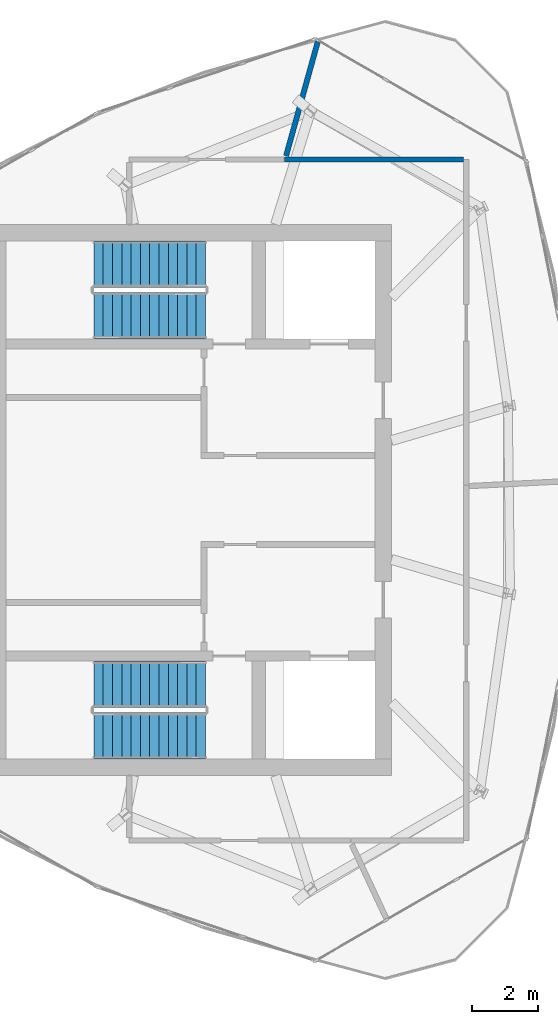
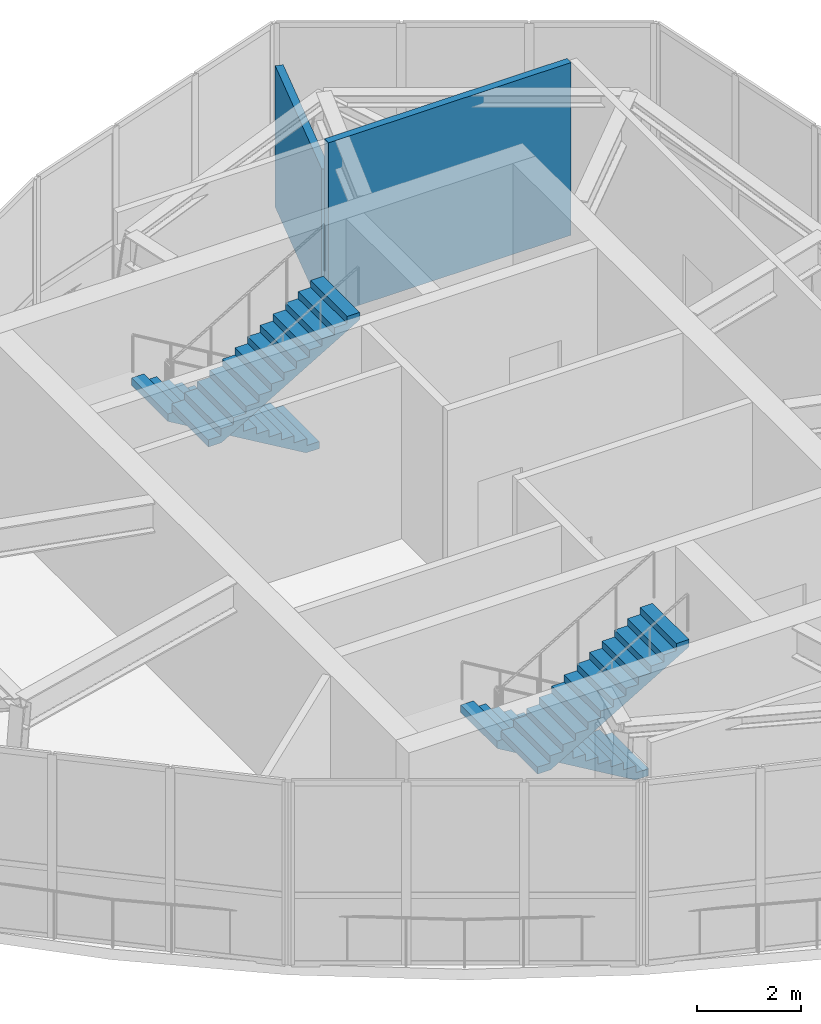
# One storey, part 8 of 10: 4 stair flights, 2 walls, 2 elements without a shape of their own.
"""IFC4 building model written with IfcOpenShell, lengths in metres."""

from ifc_helpers import new_model, si_unit, direction, frame, frame_2d, origin, place, context, subcontext, project, spatial, polyline, rectangle, outline, extrude, source, transform, mapped, material, layer, layer_set, type_object, element, aggregate, save


model = new_model("IFC4")

# Units and contexts
model_context = context("Model", 3, precision=1e-05, world=origin(), true_north=direction((0.0, 1.0)))
body_context = subcontext(model_context, "Body", "Model", "MODEL_VIEW")
ifc_project = project(units=[si_unit("LENGTHUNIT", "METRE"), si_unit("AREAUNIT", "SQUARE_METRE"), si_unit("VOLUMEUNIT", "CUBIC_METRE"), si_unit("PLANEANGLEUNIT", "RADIAN"), si_unit("MASSUNIT", "GRAM", prefix="KILO")], contexts=[model_context])

# Site, building, storey
site_placement = place(None, origin())
site = spatial("IfcSite", under=ifc_project, at=site_placement, CompositionType="ELEMENT")
building_placement = place(site_placement, origin())
building = spatial("IfcBuilding", under=site, at=building_placement, Name="Qafzar Sky-Pleat Residences", CompositionType="ELEMENT")
storey_placement = place(building_placement, frame((0.0, 0.0, 270.39990234375)))
storey = spatial("IfcBuildingStorey", under=building, at=storey_placement, Name="L80 Crown", CompositionType="ELEMENT", Elevation=270.39990234375)

# Walls
ifc_material_1 = material(Name="Acoustic gypsum plasterboard partition", Category="gypsum")
ifc_layer = layer(ifc_material_1, 0.159912109375)
ifc_layer_set = layer_set([ifc_layer], Name="Acoustic gypsum plasterboard partition")
wall_type = type_object("IfcWallType", Name="PART-COR-160", PredefinedType="PARTITIONING", material=ifc_layer_set)
wall_1_placement = place(storey_placement, frame((33.179931640625, 36.25, 0.0), z_axis=(0.0, 0.0, 1.0), x_axis=(1.0, 0.0, 0.0)))
element("IfcWall", 1, at=wall_1_placement, inside=storey, type_object=wall_type, Name="L80 Crown Partition Wall PART-L80_Crown-PW-005", PredefinedType="PARTITIONING", context=body_context, shape_type="SweptSolid", body=[
    extrude(rectangle(XDim=5.382080078125, YDim=0.159912109375, at=frame_2d((2.69091796875, 0.0))), origin(), (0.0, 0.0, 1.0), 4.050048828125),
])
wall_2_placement = place(storey_placement, frame((33.226318359375, 36.359130859375, 0.0), z_axis=(0.0, 0.0, 1.0), x_axis=(0.267305613855, 0.963611803997, 0.0)))
element("IfcWall", 2, at=wall_2_placement, inside=storey, type_object=wall_type, Name="L80 Crown Partition Wall PART-L80_Crown-PW-007", PredefinedType="PARTITIONING", context=body_context, shape_type="SweptSolid", body=[
    extrude(rectangle(XDim=3.573974609375, YDim=0.159912109375, at=frame_2d((1.787109375, 0.0))), origin(), (0.0, 0.0, 1.0), 3.318115234375),
])

# Stair, stair flights
ifc_material_2 = material(Name="Concrete C40/50", Category="concrete")
stair_type = type_object("IfcStairType", Name="STAIR-H430", PredefinedType="HALF_TURN_STAIR", material=ifc_material_2)
stair_1_placement = place(storey_placement, origin())
stair_1 = element("IfcStair", 3, at=stair_1_placement, inside=storey, type_object=stair_type, Name="L80 Crown Protected Exit Stair ST1", PredefinedType="HALF_TURN_STAIR")
stair_flight_type = type_object("IfcStairFlightType", Name="FLIGHT-H430", PredefinedType="STRAIGHT", material=ifc_material_2)
shared_shape = source(origin(), body_context, "Body", "SweptSolid", [
    extrude(outline(polyline([(0.0, 0.0), (0.0, 0.165283203125), (0.280029296875, 0.165283203125), (0.280029296875, 0.330810546875), (0.56005859375, 0.330810546875), (0.56005859375, 0.49609375), (0.840087890625, 0.49609375), (0.840087890625, 0.66162109375), (1.1201171875, 0.66162109375), (1.1201171875, 0.826904296875), (1.39990234375, 0.826904296875), (1.39990234375, 0.9921875), (1.679931640625, 0.9921875), (1.679931640625, 1.15771484375), (1.9599609375, 1.15771484375), (1.9599609375, 1.322998046875), (2.239990234375, 1.322998046875), (2.239990234375, 1.488525390625), (2.52001953125, 1.488525390625), (2.52001953125, 1.65380859375), (2.800048828125, 1.65380859375), (2.800048828125, 1.8193359375), (3.080078125, 1.8193359375), (3.080078125, 1.984619140625), (3.360107421875, 1.984619140625), (3.360107421875, 2.14990234375), (3.360107421875, 1.810546875), (0.294677734375, 0.0), (0.0, 0.0)])), frame((0.0, 0.699951171875, 0.0), z_axis=(0.0, -1.0, 0.0), x_axis=(1.0, 0.0, 0.0)), (0.0, 0.0, 1.0), 1.39990234375),
])
stair_flight_1_placement = place(storey_placement, frame((30.800048828125, 20.449951171875, 0.0), z_axis=(0.0, 0.0, 1.0), x_axis=(-1.0, 0.0, 0.0)))
stair_flight_1 = element("IfcStairFlight", 4, at=stair_flight_1_placement, type_object=stair_flight_type, Name="ST1 flight 1", NumberOfRisers=13, NumberOfTreads=12, PredefinedType="STRAIGHT", RiserHeight=0.165384615, TreadLength=0.28, context=body_context, shape_type="MappedRepresentation", body=[
    mapped(shared_shape, transform((0.0, 0.0, 0.0), x_axis=(1.0, 0.0, 0.0), y_axis=(0.0, 1.0, 0.0), z_axis=(0.0, 0.0, 1.0), scale=1.0)),
])
stair_flight_2_placement = place(storey_placement, frame((27.43994140625, 18.89990234375, 2.150146484375), z_axis=(0.0, 0.0, 1.0), x_axis=(1.0, 0.0, 0.0)))
stair_flight_2 = element("IfcStairFlight", 5, at=stair_flight_2_placement, type_object=stair_flight_type, Name="ST1 flight 2", NumberOfRisers=13, NumberOfTreads=12, PredefinedType="STRAIGHT", RiserHeight=0.165384615, TreadLength=0.28, context=body_context, shape_type="MappedRepresentation", body=[
    mapped(shared_shape, transform((0.0, 0.0, 0.0), x_axis=(1.0, 0.0, 0.0), y_axis=(0.0, 1.0, 0.0), z_axis=(0.0, 0.0, 1.0), scale=1.0)),
])
aggregate(stair_1, [stair_flight_1, stair_flight_2])

stair_2_placement = place(storey_placement, origin())
stair_2 = element("IfcStair", 6, at=stair_2_placement, inside=storey, type_object=stair_type, Name="L80 Crown Protected Exit Stair ST2", PredefinedType="HALF_TURN_STAIR")
stair_flight_3_placement = place(storey_placement, frame((30.800048828125, 33.10009765625, 0.0), z_axis=(0.0, 0.0, 1.0), x_axis=(-1.0, 0.0, 0.0)))
stair_flight_3 = element("IfcStairFlight", 7, at=stair_flight_3_placement, type_object=stair_flight_type, Name="ST2 flight 1", NumberOfRisers=13, NumberOfTreads=12, PredefinedType="STRAIGHT", RiserHeight=0.165384615, TreadLength=0.28, context=body_context, shape_type="MappedRepresentation", body=[
    mapped(shared_shape, transform((0.0, 0.0, 0.0), x_axis=(1.0, 0.0, 0.0), y_axis=(0.0, 1.0, 0.0), z_axis=(0.0, 0.0, 1.0), scale=1.0)),
])
stair_flight_4_placement = place(storey_placement, frame((27.43994140625, 31.550048828125, 2.150146484375), z_axis=(0.0, 0.0, 1.0), x_axis=(1.0, 0.0, 0.0)))
stair_flight_4 = element("IfcStairFlight", 8, at=stair_flight_4_placement, type_object=stair_flight_type, Name="ST2 flight 2", NumberOfRisers=13, NumberOfTreads=12, PredefinedType="STRAIGHT", RiserHeight=0.165384615, TreadLength=0.28, context=body_context, shape_type="MappedRepresentation", body=[
    mapped(shared_shape, transform((0.0, 0.0, 0.0), x_axis=(1.0, 0.0, 0.0), y_axis=(0.0, 1.0, 0.0), z_axis=(0.0, 0.0, 1.0), scale=1.0)),
])
aggregate(stair_2, [stair_flight_3, stair_flight_4])

save(model, "model.ifc")
